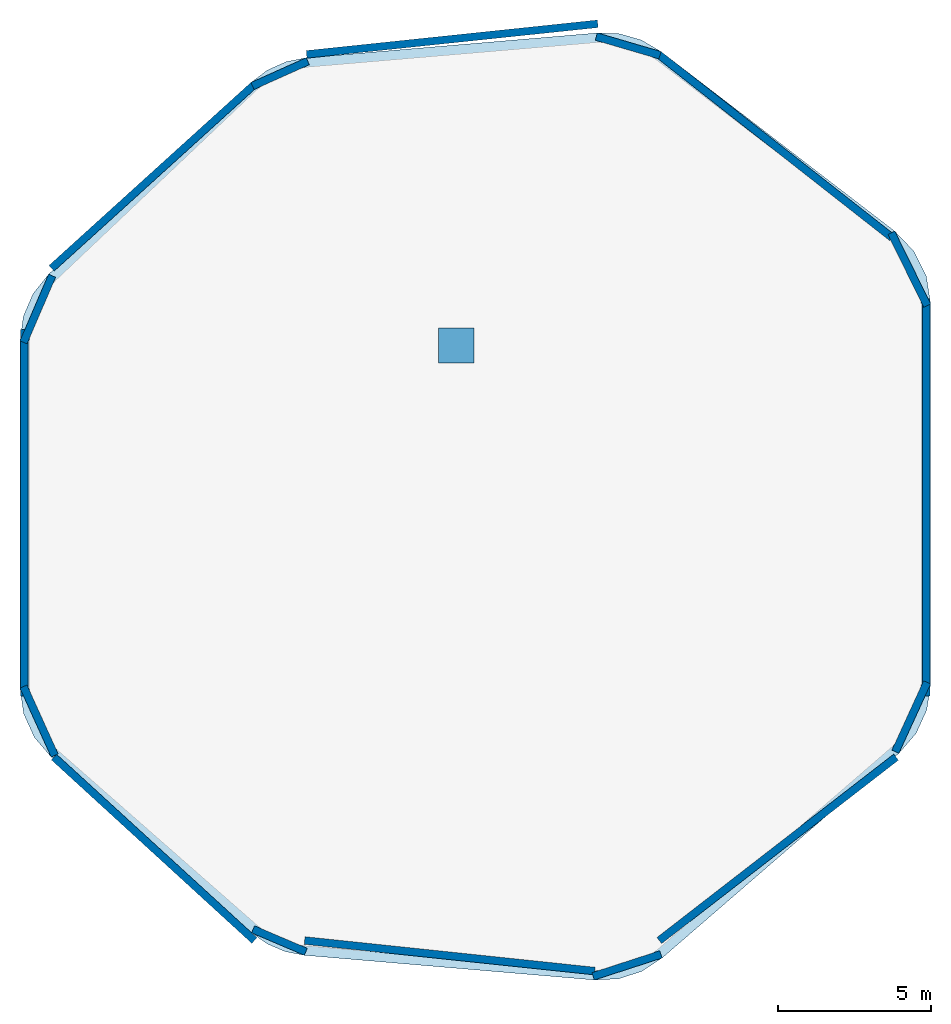
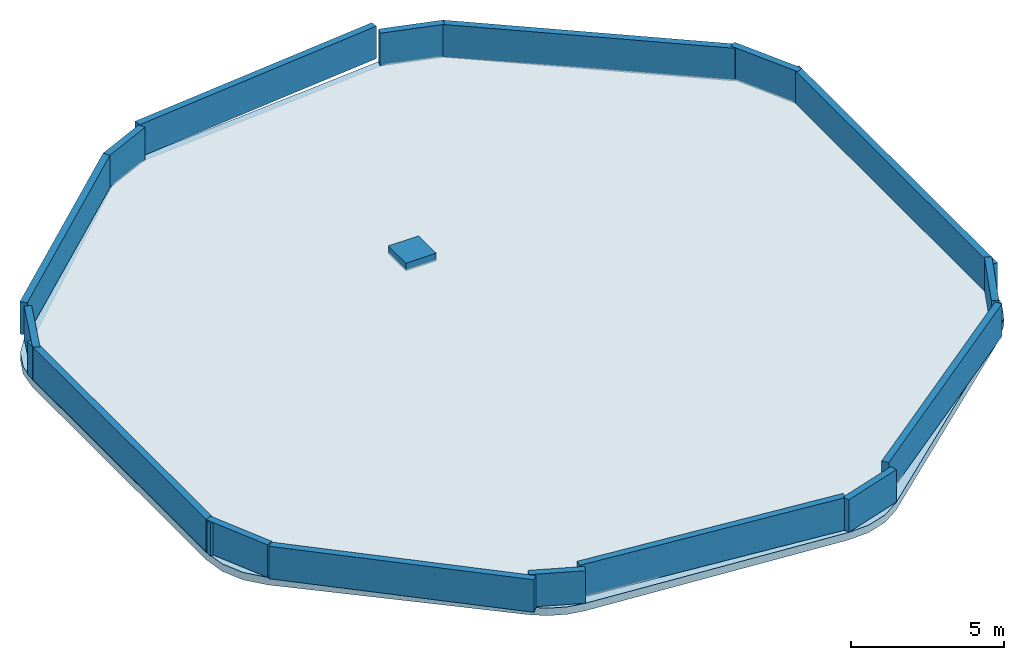
# One storey, part 1 of 2: 16 walls, 1 discrete accessory, 1 slab.
"""IFC4 building model written with IfcOpenShell, lengths in metres."""

from ifc_helpers import new_model, si_unit, direction, frame, frame_2d, origin, origin_2d, place, context, subcontext, project, spatial, polyline, rectangle, outline, extrude, material, layer, layer_set, type_object, element, save


model = new_model("IFC4")

# Units and contexts
model_context = context("Model", 3, precision=1e-05, world=origin(), true_north=direction((0.0, 1.0)))
body_context = subcontext(model_context, "Body", "Model", "MODEL_VIEW")
ifc_project = project(units=[si_unit("LENGTHUNIT", "METRE"), si_unit("AREAUNIT", "SQUARE_METRE"), si_unit("VOLUMEUNIT", "CUBIC_METRE"), si_unit("PLANEANGLEUNIT", "RADIAN"), si_unit("MASSUNIT", "GRAM", prefix="KILO")], contexts=[model_context])

# Site, building, storey
site_placement = place(None, origin())
site = spatial("IfcSite", under=ifc_project, at=site_placement, CompositionType="ELEMENT")
building_placement = place(site_placement, origin())
building = spatial("IfcBuilding", under=site, at=building_placement, Name="Zulverin Broadcast Headquarters", CompositionType="ELEMENT")
storey_placement = place(building_placement, frame((0.0, 0.0, 337.39990234375)))
storey = spatial("IfcBuildingStorey", under=building, at=storey_placement, Name="RF", CompositionType="ELEMENT", Elevation=337.39990234375)

# Slab
ifc_material_1 = material(Name="Concrete C40/50", Category="concrete")
ifc_layer_1 = layer(ifc_material_1, 0.300048828125, Name="Concrete C40/50", Category="concrete")
ifc_layer_set_1 = layer_set([ifc_layer_1], Name="Concrete C40/50")
slab_type = type_object("IfcSlabType", Name="SLB-ROOF-300", PredefinedType="ROOF", material=ifc_layer_set_1)
slab_placement = place(storey_placement, frame((0.0, 0.0, -0.2998046875)))
element("IfcSlab", 1, at=slab_placement, inside=storey, type_object=slab_type, Name="RF Closed Crest Roof Slab", PredefinedType="ROOF", context=body_context, shape_type="SweptSolid", body=[
    extrude(outline(polyline([(33.57861328125, 11.25048828125), (34.0966796875, 10.885009765625), (34.68017578125, 10.63671875), (35.302490234375, 10.516357421875), (44.7958984375, 9.70751953125), (45.590576171875, 9.74560546875), (46.34716796875, 9.9912109375), (47.0126953125, 10.427001953125), (54.761962890625, 17.126708984375), (55.322509765625, 17.772216796875), (55.67822265625, 18.5498046875), (55.800048828125, 19.39599609375), (55.800048828125, 31.833984375), (55.661376953125, 32.7353515625), (55.25830078125, 33.553466796875), (54.6279296875, 34.212646484375), (46.97900390625, 40.0908203125), (46.342529296875, 40.465087890625), (45.634033203125, 40.6728515625), (44.896240234375, 40.701171875), (35.366455078125, 39.88916015625), (34.70751953125, 39.757568359375), (34.09423828125, 39.482421875), (33.5576171875, 39.07763671875), (26.9365234375, 32.803466796875), (26.42919921875, 32.172119140625), (26.109375, 31.42822265625), (26.0, 30.625732421875), (26.0, 19.2587890625), (26.119873046875, 18.419677734375), (26.469482421875, 17.6474609375), (27.021484375, 17.00390625), (33.57861328125, 11.25048828125)]), holes=[polyline([(39.800048828125, 30.0), (40.75, 30.0), (40.75, 30.949951171875), (39.800048828125, 30.949951171875), (39.800048828125, 30.0)])]), origin(), (0.0, 0.0, 1.0), 0.2998046875),
])

# Walls
ifc_layer_2 = layer(ifc_material_1, 0.25, Name="Concrete C40/50", Category="concrete")
ifc_layer_set_2 = layer_set([ifc_layer_2], Name="Concrete C40/50")
wall_type = type_object("IfcWallType", Name="WL-PARAPET-250", PredefinedType="PARAPET", material=ifc_layer_set_2)
wall_1_placement = place(storey_placement, frame((35.314453125, 11.0, 0.0), z_axis=(0.0, 0.0, 1.0), x_axis=(0.994497882819, -0.104756675531, 0.0)))
element("IfcWall", 2, at=wall_1_placement, inside=storey, type_object=wall_type, Name="RF Closed Crest Parapet Wall 01", PredefinedType="PARAPET", context=body_context, shape_type="SweptSolid", body=[
    extrude(rectangle(XDim=9.5458984375, YDim=0.25, at=frame_2d((4.77294921875, 0.0))), origin(), (0.0, 0.0, 1.0), 1.300048828125),
])
wall_2_placement = place(storey_placement, frame((46.921142578125, 11.0, 0.0), z_axis=(0.0, 0.0, 1.0), x_axis=(0.790695700299, 0.612209367397, 0.0)))
element("IfcWall", 3, at=wall_2_placement, inside=storey, type_object=wall_type, Name="RF Closed Crest Parapet Wall 02", PredefinedType="PARAPET", context=body_context, shape_type="SweptSolid", body=[
    extrude(rectangle(XDim=9.800537109375, YDim=0.25, at=frame_2d((4.900390625, 0.0))), origin(), (0.0, 0.0, 1.0), 1.300048828125),
])
wall_3_placement = place(storey_placement, frame((55.659912109375, 19.0, 0.0), z_axis=(0.0, 0.0, 1.0), x_axis=(0.0, 1.0, 0.0)))
element("IfcWall", 4, at=wall_3_placement, inside=storey, type_object=wall_type, Name="RF Closed Crest Parapet Wall 03", PredefinedType="PARAPET", context=body_context, shape_type="SweptSolid", body=[
    extrude(rectangle(XDim=13.0, YDim=0.25, at=frame_2d((6.5, 0.0))), origin(), (0.0, 0.0, 1.0), 1.300048828125),
])
wall_4_placement = place(storey_placement, frame((54.542724609375, 34.0, 0.0), z_axis=(0.0, 0.0, 1.0), x_axis=(-0.786820896465, 0.617181397067, 0.0)))
element("IfcWall", 5, at=wall_4_placement, inside=storey, type_object=wall_type, Name="RF Closed Crest Parapet Wall 04", PredefinedType="PARAPET", context=body_context, shape_type="SweptSolid", body=[
    extrude(rectangle(XDim=9.7216796875, YDim=0.25, at=frame_2d((4.86083984375, 0.0))), origin(), (0.0, 0.0, 1.0), 1.300048828125),
])
wall_5_placement = place(storey_placement, frame((44.908203125, 41.0, 0.0), z_axis=(0.0, 0.0, 1.0), x_axis=(-0.994539465075, -0.104361163318, 0.0)))
element("IfcWall", 6, at=wall_5_placement, inside=storey, type_object=wall_type, Name="RF Closed Crest Parapet Wall 05", PredefinedType="PARAPET", context=body_context, shape_type="SweptSolid", body=[
    extrude(rectangle(XDim=9.58203125, YDim=0.25, at=frame_2d((4.791015625, 0.0))), origin(), (0.0, 0.0, 1.0), 1.300048828125),
])
wall_6_placement = place(storey_placement, frame((33.654052734375, 39.0, 0.0), z_axis=(0.0, 0.0, 1.0), x_axis=(-0.741019664577, -0.671483325713, 0.0)))
element("IfcWall", 7, at=wall_6_placement, inside=storey, type_object=wall_type, Name="RF Closed Crest Parapet Wall 06", PredefinedType="PARAPET", context=body_context, shape_type="SweptSolid", body=[
    extrude(rectangle(XDim=8.935546875, YDim=0.25, at=frame_2d((4.4677734375, 0.0))), origin(), (0.0, 0.0, 1.0), 1.300048828125),
])
wall_7_placement = place(storey_placement, frame((26.139892578125, 31.0, 0.0), z_axis=(0.0, 0.0, 1.0), x_axis=(0.0, -1.0, 0.0)))
element("IfcWall", 8, at=wall_7_placement, inside=storey, type_object=wall_type, Name="RF Closed Crest Parapet Wall 07", PredefinedType="PARAPET", context=body_context, shape_type="SweptSolid", body=[
    extrude(rectangle(XDim=12.0, YDim=0.25, at=frame_2d((6.0, 0.0))), origin(), (0.0, 0.0, 1.0), 1.300048828125),
])
wall_8_placement = place(storey_placement, frame((27.11376953125, 17.0, 0.0), z_axis=(0.0, 0.0, 1.0), x_axis=(0.737753599799, -0.675070089682, 0.0)))
element("IfcWall", 9, at=wall_8_placement, inside=storey, type_object=wall_type, Name="RF Closed Crest Parapet Wall 08", PredefinedType="PARAPET", context=body_context, shape_type="SweptSolid", body=[
    extrude(rectangle(XDim=8.887939453125, YDim=0.25, at=frame_2d((4.44384765625, 0.0))), origin(), (0.0, 0.0, 1.0), 1.300048828125),
])
wall_9_placement = place(storey_placement, frame((44.75732421875, 9.826416015625, 0.0), z_axis=(0.0, 0.0, 1.0), x_axis=(0.951157162367, 0.308707065804, 0.0)))
element("IfcWall", 10, at=wall_9_placement, inside=storey, type_object=wall_type, Name="RF Wind-Shaped Corner Parapet 1-1", PredefinedType="PARAPET", context=body_context, shape_type="SweptSolid", body=[
    extrude(rectangle(XDim=2.33056640625, YDim=0.25, at=frame_2d((1.165283203125, 0.0))), origin(), (0.0, 0.0, 1.0), 1.300048828125),
])
wall_10_placement = place(storey_placement, frame((54.648193359375, 17.1787109375, 0.0), z_axis=(0.0, 0.0, 1.0), x_axis=(0.415990955238, 0.909368750926, 0.0)))
element("IfcWall", 11, at=wall_10_placement, inside=storey, type_object=wall_type, Name="RF Wind-Shaped Corner Parapet 2-1", PredefinedType="PARAPET", context=body_context, shape_type="SweptSolid", body=[
    extrude(rectangle(XDim=2.495361328125, YDim=0.25, at=frame_2d((1.24755859375, 0.0))), origin(), (0.0, 0.0, 1.0), 1.300048828125),
])
wall_11_placement = place(storey_placement, frame((55.68798828125, 31.77880859375, 0.0), z_axis=(0.0, 0.0, 1.0), x_axis=(-0.442013482458, 0.897008406496, 0.0)))
element("IfcWall", 12, at=wall_11_placement, inside=storey, type_object=wall_type, Name="RF Wind-Shaped Corner Parapet 3-1", PredefinedType="PARAPET", context=body_context, shape_type="SweptSolid", body=[
    extrude(rectangle(XDim=2.65185546875, YDim=0.25, at=frame_2d((1.325927734375, 0.0))), origin(), (0.0, 0.0, 1.0), 1.300048828125),
])
wall_12_placement = place(storey_placement, frame((46.943603515625, 39.970703125, 0.0), z_axis=(0.0, 0.0, 1.0), x_axis=(-0.959603410591, 0.281356169975, 0.0)))
element("IfcWall", 13, at=wall_12_placement, inside=storey, type_object=wall_type, Name="RF Wind-Shaped Corner Parapet 4-1", PredefinedType="PARAPET", context=body_context, shape_type="SweptSolid", body=[
    extrude(rectangle(XDim=2.170166015625, YDim=0.25, at=frame_2d((1.0849609375, 0.0))), origin(), (0.0, 0.0, 1.0), 1.300048828125),
])
wall_13_placement = place(storey_placement, frame((35.417724609375, 39.775146484375, 0.0), z_axis=(0.0, 0.0, 1.0), x_axis=(-0.912384063645, -0.409335217648, 0.0)))
element("IfcWall", 14, at=wall_13_placement, inside=storey, type_object=wall_type, Name="RF Wind-Shaped Corner Parapet 5-1", PredefinedType="PARAPET", context=body_context, shape_type="SweptSolid", body=[
    extrude(rectangle(XDim=1.982421875, YDim=0.25, at=frame_2d((0.9912109375, 0.0))), origin(), (0.0, 0.0, 1.0), 1.300048828125),
])
wall_14_placement = place(storey_placement, frame((27.05126953125, 32.75390625, 0.0), z_axis=(0.0, 0.0, 1.0), x_axis=(-0.39509989751, -0.918638161077, 0.0)))
element("IfcWall", 15, at=wall_14_placement, inside=storey, type_object=wall_type, Name="RF Wind-Shaped Corner Parapet 6-1", PredefinedType="PARAPET", context=body_context, shape_type="SweptSolid", body=[
    extrude(rectangle(XDim=2.370361328125, YDim=0.25, at=frame_2d((1.18505859375, 0.0))), origin(), (0.0, 0.0, 1.0), 1.300048828125),
])
wall_15_placement = place(storey_placement, frame((26.114013671875, 19.310302734375, 0.0), z_axis=(0.0, 0.0, 1.0), x_axis=(0.412561601397, -0.910929703683, 0.0)))
element("IfcWall", 16, at=wall_15_placement, inside=storey, type_object=wall_type, Name="RF Wind-Shaped Corner Parapet 7-1", PredefinedType="PARAPET", context=body_context, shape_type="SweptSolid", body=[
    extrude(rectangle(XDim=2.475341796875, YDim=0.25, at=frame_2d((1.23779296875, 0.0))), origin(), (0.0, 0.0, 1.0), 1.300048828125),
])
wall_16_placement = place(storey_placement, frame((33.627685546875, 11.365478515625, 0.0), z_axis=(0.0, 0.0, 1.0), x_axis=(0.920045725698, -0.391811003707, 0.0)))
element("IfcWall", 17, at=wall_16_placement, inside=storey, type_object=wall_type, Name="RF Wind-Shaped Corner Parapet 8-1", PredefinedType="PARAPET", context=body_context, shape_type="SweptSolid", body=[
    extrude(rectangle(XDim=1.873779296875, YDim=0.25, at=frame_2d((0.93701171875, 0.0))), origin(), (0.0, 0.0, 1.0), 1.300048828125),
])

# Discrete accessory
ifc_material_2 = material(Name="Insulated anodized aluminium roof access hatch", Category="aluminium")
discrete_accessory_type = type_object("IfcDiscreteAccessoryType", Name="ACC-ROOF-HATCH", PredefinedType="USERDEFINED", material=ifc_material_2)
discrete_accessory_placement = place(storey_placement, frame((40.27490234375, 30.47509765625, 0.0), z_axis=(0.0, 0.0, 1.0), x_axis=(1.0, 0.0, 0.0)))
element("IfcDiscreteAccessory", 18, at=discrete_accessory_placement, inside=storey, type_object=discrete_accessory_type, Name="RF Maintenance Roof Access Hatch RH-01", ObjectType="ROOF_HATCH", PredefinedType="USERDEFINED", context=body_context, shape_type="SweptSolid", body=[
    extrude(rectangle(XDim=1.14990234375, YDim=1.14990234375, at=origin_2d()), origin(), (0.0, 0.0, 1.0), 0.300048828125),
])

save(model, "model.ifc")
